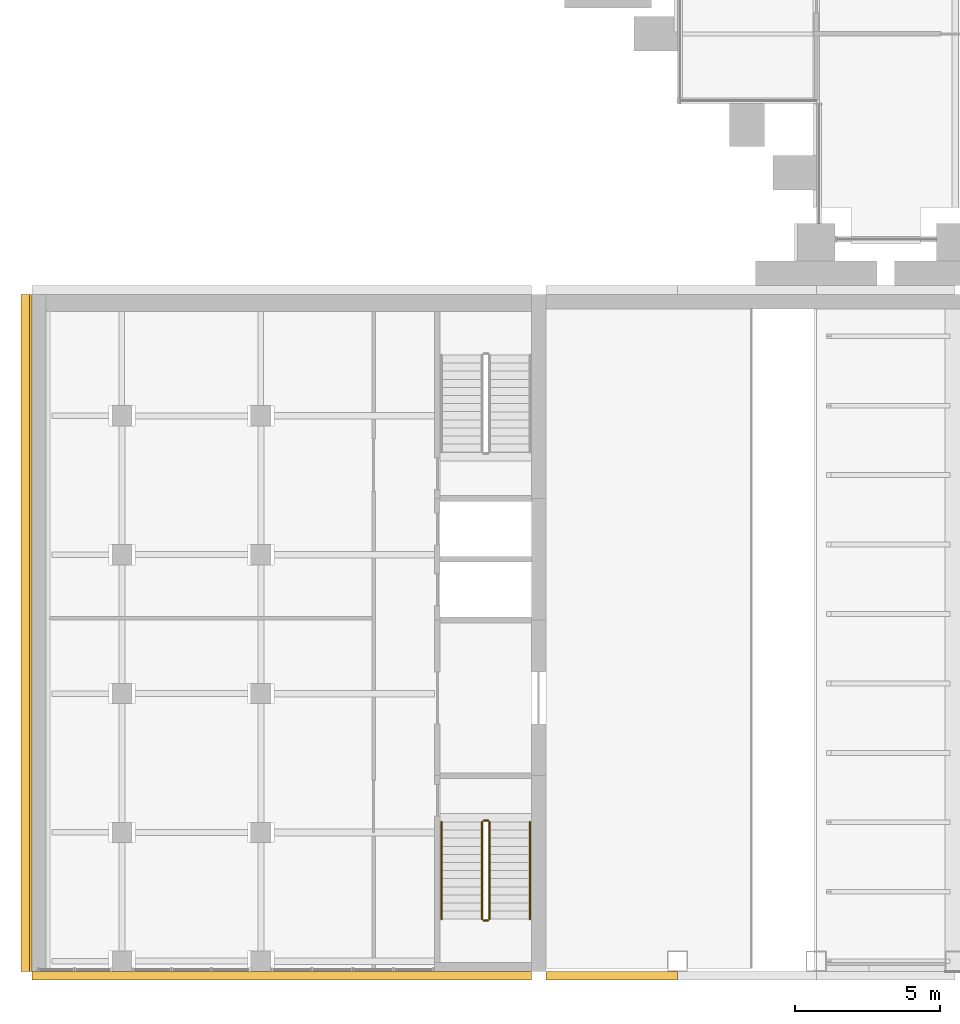
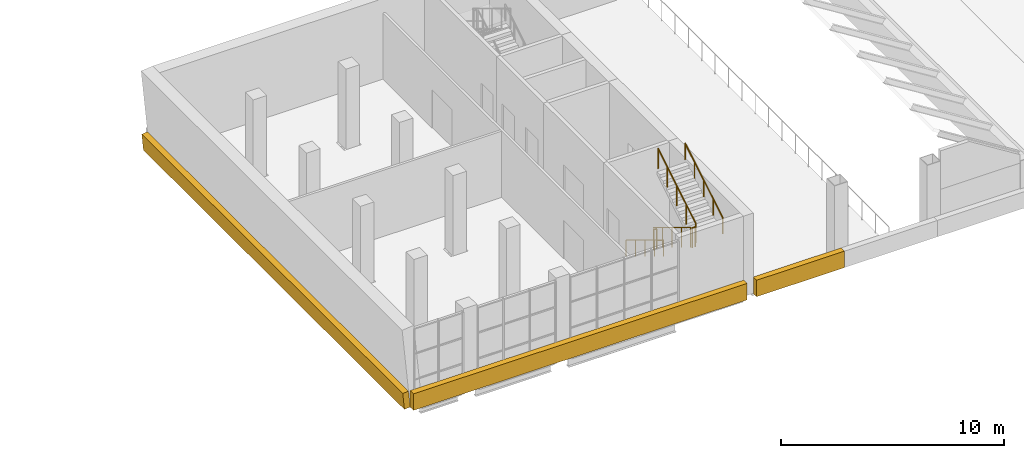
# One storey, part 26 of 32: 6 railings, 3 coverings.
"""IFC4 building model written with IfcOpenShell, lengths in metres."""

from ifc_helpers import new_model, si_unit, direction, frame, origin, origin_2d, place, context, subcontext, project, spatial, polyline, circle, outline, extrude, material, layer, layer_set, type_object, element, save


model = new_model("IFC4")

# Units and contexts
model_context = context("Model", 3, precision=1e-05, world=origin(), true_north=direction((0.0, 1.0)))
body_context = subcontext(model_context, "Body", "Model", "MODEL_VIEW")
ifc_project = project(units=[si_unit("LENGTHUNIT", "METRE"), si_unit("AREAUNIT", "SQUARE_METRE"), si_unit("VOLUMEUNIT", "CUBIC_METRE"), si_unit("PLANEANGLEUNIT", "RADIAN"), si_unit("MASSUNIT", "GRAM", prefix="KILO")], contexts=[model_context])

# Site, building, storey
site_placement = place(None, origin())
site = spatial("IfcSite", under=ifc_project, at=site_placement, CompositionType="ELEMENT")
building_placement = place(site_placement, origin())
building = spatial("IfcBuilding", under=site, at=building_placement, Name="Baori Bourse Tower", CompositionType="ELEMENT")
storey_placement = place(building_placement, frame((0.0, 0.0, 12.60009765625)))
storey = spatial("IfcBuildingStorey", under=building, at=storey_placement, Name="L01", CompositionType="ELEMENT", Elevation=12.60009765625)

# Coverings
ifc_material_1 = material(Name="Pale anodised aluminium", Category="aluminium")
ifc_layer = layer(ifc_material_1, 0.300048828125)
ifc_layer_set = layer_set([ifc_layer], Name="Pale metal band 900x300")
covering_type = type_object("IfcCoveringType", Name="Pale metal band 900x300", PredefinedType="CLADDING", material=ifc_layer_set)
covering_1_placement = place(storey_placement, origin())
element("IfcCovering", 1, at=covering_1_placement, inside=storey, type_object=covering_type, Name="BAND", PredefinedType="CLADDING", context=body_context, shape_type="SweptSolid", body=[
    extrude(outline(polyline([(0.25, -25.5), (4.800048828125, -25.5), (4.800048828125, -25.199951171875), (0.25, -25.199951171875), (0.25, -25.5)])), origin(), (0.0, 0.0, 1.0), 0.89990234375),
])
covering_2_placement = place(storey_placement, origin())
element("IfcCovering", 2, at=covering_2_placement, inside=storey, type_object=covering_type, Name="BAND", PredefinedType="CLADDING", context=body_context, shape_type="SweptSolid", body=[
    extrude(outline(polyline([(-17.50537109375, -25.5), (-0.25, -25.5), (-0.25, -25.199951171875), (-17.50537109375, -25.199951171875), (-17.50537109375, -25.5)])), origin(), (0.0, 0.0, 1.0), 0.89990234375),
])
covering_3_placement = place(storey_placement, frame((-17.50537109375, -25.199951171875, 0.0), z_axis=(0.995394173932, 0.0, 0.095866774755), x_axis=(0.0, 1.0, 0.0)))
element("IfcCovering", 3, at=covering_3_placement, inside=storey, type_object=covering_type, Name="BAND", PredefinedType="CLADDING", context=body_context, shape_type="SweptSolid", body=[
    extrude(outline(polyline([(0.0, 0.0), (23.39990234375, 0.0), (23.39990234375, 0.904066315955064), (0.0, 0.904066315955064), (0.0, 0.0)])), origin(), (0.0, 0.0, -1.0), 0.300048828125),
])

# Railings
ifc_material_2 = material(Name="Stainless steel AISI 316", Category="steel")
railing_type_1 = type_object("IfcRailingType", Name="Wing guard 1100", PredefinedType="GUARDRAIL", material=ifc_material_2)
railing_1_placement = place(storey_placement, frame((-1.949951171875, -20.0400390625, 0.169189453125)))
element("IfcRailing", 4, at=railing_1_placement, inside=storey, type_object=railing_type_1, Name="L01 W-STB stair guard 1", PredefinedType="GUARDRAIL", context=body_context, shape_type="SweptSolid", body=[
    extrude(circle(Radius=0.02392578125, at=origin_2d()), frame((0.0, 0.0, 1.076171875), z_axis=(0.0, -0.855820338506, 0.51727318527), x_axis=(1.0, 0.0, 0.0)), (0.0, 0.0, 1.0), 3.92578125),
    extrude(circle(Radius=0.02099609375, at=origin_2d()), origin(), (0.0, 0.0, 1.0), 1.052001953125),
    extrude(circle(Radius=0.02099609375, at=origin_2d()), frame((0.0, -0.83984375, 0.5078125)), (0.0, 0.0, 1.0), 1.052001953125),
    extrude(circle(Radius=0.02099609375, at=origin_2d()), frame((0.0, -1.679931640625, 1.015380859375)), (0.0, 0.0, 1.0), 1.052001953125),
    extrude(circle(Radius=0.02099609375, at=origin_2d()), frame((0.0, -2.52001953125, 1.52294921875)), (0.0, 0.0, 1.0), 1.052001953125),
    extrude(circle(Radius=0.02099609375, at=origin_2d()), frame((0.0, -3.35986328125, 2.03076171875)), (0.0, 0.0, 1.0), 1.052001953125),
])
railing_2_placement = place(storey_placement, frame((-1.89990234375, -23.449951171875, 2.199951171875)))
element("IfcRailing", 5, at=railing_2_placement, inside=storey, type_object=railing_type_1, Name="L01 W-STB stair guard 2", PredefinedType="GUARDRAIL", context=body_context, shape_type="SweptSolid", body=[
    extrude(circle(Radius=0.02392578125, at=origin_2d()), frame((0.0, 0.0, 1.076171875), z_axis=(1.0, 0.0, 0.0), x_axis=(0.0, 1.0, 0.0)), (0.0, 0.0, 1.0), 0.14990234375),
    extrude(circle(Radius=0.02099609375, at=origin_2d()), origin(), (0.0, 0.0, 1.0), 1.052001953125),
    extrude(circle(Radius=0.02099609375, at=origin_2d()), frame((0.14990234375, 0.0, 0.0)), (0.0, 0.0, 1.0), 1.052001953125),
])
railing_3_placement = place(storey_placement, frame((-1.699951171875, -23.39990234375, 2.369140625)))
element("IfcRailing", 6, at=railing_3_placement, inside=storey, type_object=railing_type_1, Name="L01 W-STB stair guard 3", PredefinedType="GUARDRAIL", context=body_context, shape_type="SweptSolid", body=[
    extrude(circle(Radius=0.02392578125, at=origin_2d()), frame((0.0, 0.0, 1.076171875), z_axis=(0.0, 0.855820338506, 0.51727318527), x_axis=(-1.0, 0.0, 0.0)), (0.0, 0.0, 1.0), 3.92578125),
    extrude(circle(Radius=0.02099609375, at=origin_2d()), origin(), (0.0, 0.0, 1.0), 1.052001953125),
    extrude(circle(Radius=0.02099609375, at=origin_2d()), frame((0.0, 0.83984375, 0.5078125)), (0.0, 0.0, 1.0), 1.052001953125),
    extrude(circle(Radius=0.02099609375, at=origin_2d()), frame((0.0, 1.679931640625, 1.015380859375)), (0.0, 0.0, 1.0), 1.052001953125),
    extrude(circle(Radius=0.02099609375, at=origin_2d()), frame((0.0, 2.52001953125, 1.52294921875)), (0.0, 0.0, 1.0), 1.052001953125),
    extrude(circle(Radius=0.02099609375, at=origin_2d()), frame((0.0, 3.35986328125, 2.03076171875)), (0.0, 0.0, 1.0), 1.052001953125),
])
railing_4_placement = place(storey_placement, frame((-1.89990234375, -19.989990234375, 0.0)))
element("IfcRailing", 7, at=railing_4_placement, inside=storey, type_object=railing_type_1, Name="L01 W-STB stair guard 4", PredefinedType="GUARDRAIL", context=body_context, shape_type="SweptSolid", body=[
    extrude(circle(Radius=0.02392578125, at=origin_2d()), frame((0.0, 0.0, 1.076171875), z_axis=(1.0, 0.0, 0.0), x_axis=(0.0, 1.0, 0.0)), (0.0, 0.0, 1.0), 0.14990234375),
    extrude(circle(Radius=0.02099609375, at=origin_2d()), origin(), (0.0, 0.0, 1.0), 1.052001953125),
    extrude(circle(Radius=0.02099609375, at=origin_2d()), frame((0.14990234375, 0.0, 0.0)), (0.0, 0.0, 1.0), 1.052001953125),
])
ifc_material_3 = material(Name="Stainless steel AISI 316", Category="steel")
railing_type_2 = type_object("IfcRailingType", Name="Wing handrail 900", PredefinedType="HANDRAIL", material=ifc_material_3)
railing_5_placement = place(storey_placement, frame((-3.35009765625, -20.0400390625, 0.169189453125)))
element("IfcRailing", 8, at=railing_5_placement, inside=storey, type_object=railing_type_2, Name="L01 W-STB stair handrail 1", PredefinedType="HANDRAIL", context=body_context, shape_type="SweptSolid", body=[
    extrude(circle(Radius=0.02392578125, at=origin_2d()), frame((0.0, 0.0, 0.8759765625), z_axis=(0.0, -0.855820338506, 0.51727318527), x_axis=(1.0, 0.0, 0.0)), (0.0, 0.0, 1.0), 3.92578125),
    extrude(circle(Radius=0.02099609375, at=origin_2d()), origin(), (0.0, 0.0, 1.0), 0.851806640625),
    extrude(circle(Radius=0.02099609375, at=origin_2d()), frame((0.0, -0.83984375, 0.5078125)), (0.0, 0.0, 1.0), 0.851806640625),
    extrude(circle(Radius=0.02099609375, at=origin_2d()), frame((0.0, -1.679931640625, 1.015380859375)), (0.0, 0.0, 1.0), 0.851806640625),
    extrude(circle(Radius=0.02099609375, at=origin_2d()), frame((0.0, -2.52001953125, 1.52294921875)), (0.0, 0.0, 1.0), 0.851806640625),
    extrude(circle(Radius=0.02099609375, at=origin_2d()), frame((0.0, -3.35986328125, 2.03076171875)), (0.0, 0.0, 1.0), 0.851806640625),
])
railing_6_placement = place(storey_placement, frame((-0.300048828125, -23.39990234375, 2.369140625)))
element("IfcRailing", 9, at=railing_6_placement, inside=storey, type_object=railing_type_2, Name="L01 W-STB stair handrail 2", PredefinedType="HANDRAIL", context=body_context, shape_type="SweptSolid", body=[
    extrude(circle(Radius=0.02392578125, at=origin_2d()), frame((0.0, 0.0, 0.8759765625), z_axis=(0.0, 0.855820338506, 0.51727318527), x_axis=(-1.0, 0.0, 0.0)), (0.0, 0.0, 1.0), 3.92578125),
    extrude(circle(Radius=0.02099609375, at=origin_2d()), origin(), (0.0, 0.0, 1.0), 0.851806640625),
    extrude(circle(Radius=0.02099609375, at=origin_2d()), frame((0.0, 0.83984375, 0.5078125)), (0.0, 0.0, 1.0), 0.851806640625),
    extrude(circle(Radius=0.02099609375, at=origin_2d()), frame((0.0, 1.679931640625, 1.015380859375)), (0.0, 0.0, 1.0), 0.851806640625),
    extrude(circle(Radius=0.02099609375, at=origin_2d()), frame((0.0, 2.52001953125, 1.52294921875)), (0.0, 0.0, 1.0), 0.851806640625),
    extrude(circle(Radius=0.02099609375, at=origin_2d()), frame((0.0, 3.35986328125, 2.03076171875)), (0.0, 0.0, 1.0), 0.851806640625),
])

save(model, "model.ifc")
